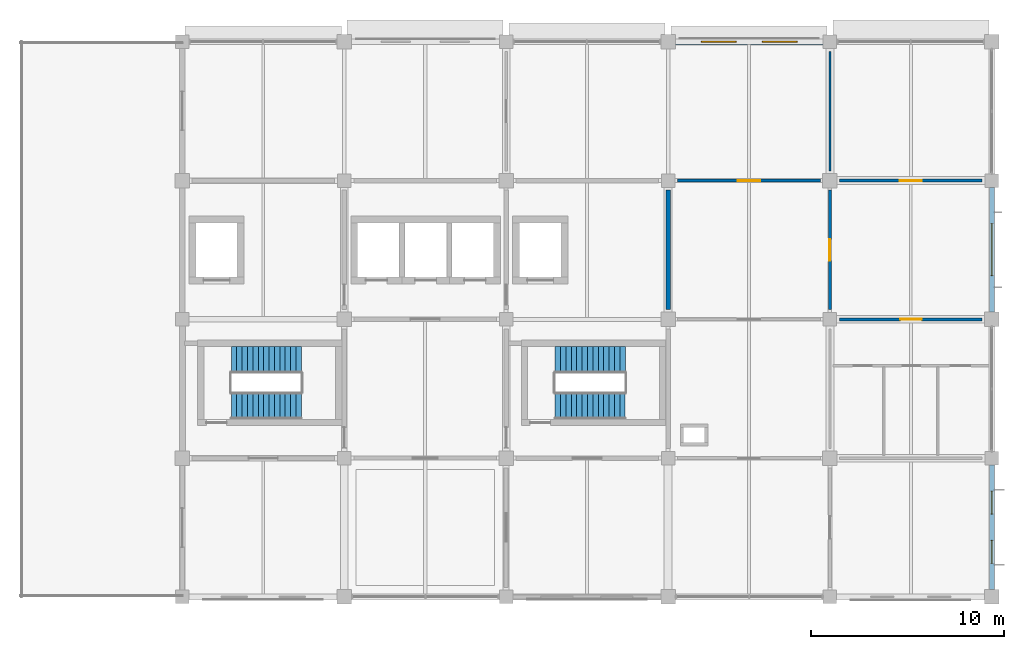
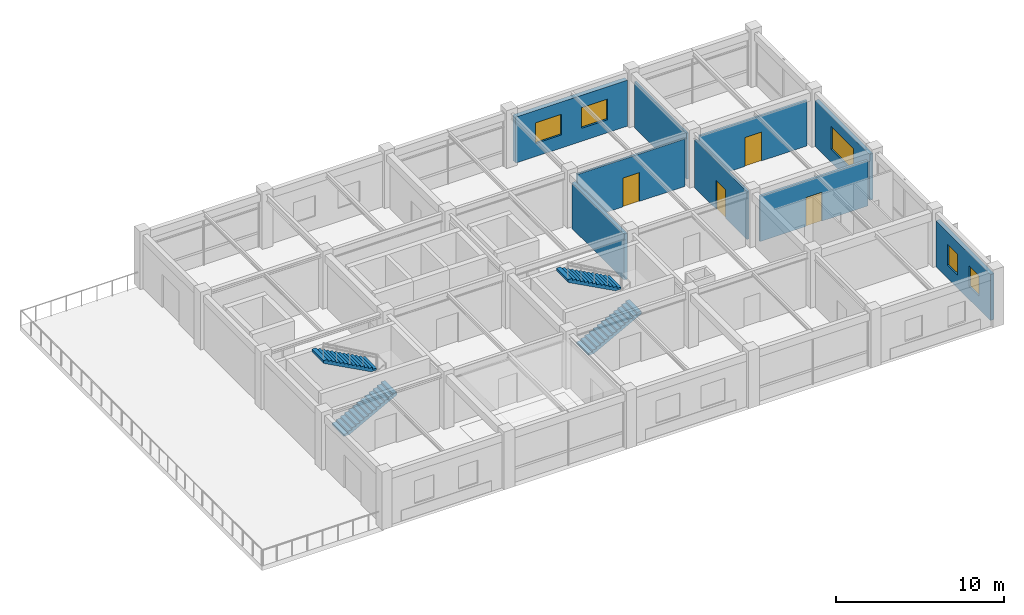
# One storey, part 8 of 10: 9 walls, 5 windows, 4 doors, 4 stair flights, 9 openings, 2 elements without a shape of their own.
"""IFC4 building model written with IfcOpenShell, lengths in metres."""

from ifc_helpers import new_model, si_unit, derived_unit, direction, frame, frame_2d, origin, place, context, subcontext, project, spatial, polyline, rectangle, outline, extrude, material, layer, layer_set, type_object, element, fill, aggregate, save


model = new_model("IFC4")

# Units and contexts
model_context = context("Model", 3, precision=1e-05, world=origin(), true_north=direction((0.0, 1.0)))
body_context = subcontext(model_context, "Body", "Model", "MODEL_VIEW")
ifc_project = project(units=[si_unit("LENGTHUNIT", "METRE"), si_unit("AREAUNIT", "SQUARE_METRE"), si_unit("VOLUMEUNIT", "CUBIC_METRE"), si_unit("PLANEANGLEUNIT", "RADIAN"), si_unit("MASSUNIT", "GRAM", prefix="KILO"), derived_unit("THERMALTRANSMITTANCEUNIT", [(si_unit("MASSUNIT", "GRAM", prefix="KILO"), 1), (si_unit("TIMEUNIT", "SECOND"), -3), (si_unit("THERMODYNAMICTEMPERATUREUNIT", "KELVIN"), -1)])], contexts=[model_context])

# Site, building, storey
site_placement = place(None, origin())
site = spatial("IfcSite", under=ifc_project, at=site_placement, CompositionType="ELEMENT")
building_placement = place(site_placement, origin())
building = spatial("IfcBuilding", under=site, at=building_placement, Name="Veldstrom Oceanarium and Marine Research Institute", CompositionType="ELEMENT")
storey_placement = place(building_placement, frame((0.0, 0.0, 43.800048828125)))
storey = spatial("IfcBuildingStorey", under=building, at=storey_placement, Name="L09", CompositionType="ELEMENT", Elevation=43.800048828125)

# Wall, openings, windows
ifc_material_1 = material(Name="Masonry Cavity Wall", Category="masonry")
ifc_layer_1 = layer(ifc_material_1, 0.31005859375)
ifc_layer_set_1 = layer_set([ifc_layer_1], Name="ARC-WAL-EW1")
wall_type_1 = type_object("IfcWallType", Name="ARC-WAL-EW1", PredefinedType="SOLIDWALL", material=ifc_layer_set_1)
wall_1_placement = place(storey_placement, frame((101.175048828125, 72.0, 0.0), z_axis=(0.0, 0.0, 1.0), x_axis=(1.0, 0.0, 0.0)))
wall_1 = element("IfcWall", 1, at=wall_1_placement, inside=storey, type_object=wall_type_1, Name="Exterior Facade Wall EW1 L09-219", PredefinedType="SOLIDWALL", context=body_context, shape_type="SweptSolid", body=[
    extrude(rectangle(XDim=7.675048828125, YDim=0.31005859375, at=frame_2d((3.83740234375, 0.0))), origin(), (0.0, 0.0, 1.0), 3.344970703125),
])
opening_1_placement = place(wall_1_placement, frame((1.3583984375, 0.0, 0.949951171875)))
opening_1 = element("IfcOpeningElement", 2, at=opening_1_placement, cuts=wall_1, Name="Opening W14", PredefinedType="OPENING", context=body_context, shape_type="SweptSolid", body=[
    extrude(rectangle(XDim=1.800048828125, YDim=1.5, at=frame_2d((0.89990234375, 0.75))), frame((0.0, 0.1650390625, 0.0), z_axis=(0.0, -1.0, 0.0), x_axis=(1.0, 0.0, 0.0)), (0.0, 0.0, 1.0), 0.330078125),
])
opening_2_placement = place(wall_1_placement, frame((4.5166015625, 0.0, 0.949951171875)))
opening_2 = element("IfcOpeningElement", 3, at=opening_2_placement, cuts=wall_1, Name="Opening W14", PredefinedType="OPENING", context=body_context, shape_type="SweptSolid", body=[
    extrude(rectangle(XDim=1.800048828125, YDim=1.5, at=frame_2d((0.89990234375, 0.75))), frame((0.0, 0.1650390625, 0.0), z_axis=(0.0, -1.0, 0.0), x_axis=(1.0, 0.0, 0.0)), (0.0, 0.0, 1.0), 0.330078125),
])
ifc_material_2 = material(Name="Double Glazed Low-E IGU", Category="glass")
window_type_1 = type_object("IfcWindowType", Name="ARC-WIN-W14", PartitioningType="SINGLE_PANEL", PredefinedType="WINDOW", material=ifc_material_2)
window_1_placement = place(opening_1_placement, origin())
window_1 = element("IfcWindow", 4, at=window_1_placement, inside=storey, type_object=window_type_1, Name="Facade Window W14 L09-0193", OverallHeight=1.5, OverallWidth=1.800048828125, PartitioningType="SINGLE_PANEL", PredefinedType="WINDOW", context=body_context, shape_type="SweptSolid", body=[
    extrude(rectangle(XDim=1.800048828125, YDim=1.5, at=frame_2d((0.89990234375, 0.75))), frame((0.0, 0.030029296875, 0.0), z_axis=(0.0, -1.0, 0.0), x_axis=(1.0, 0.0, 0.0)), (0.0, 0.0, 1.0), 0.06005859375),
])
fill(opening_1, window_1)
window_2_placement = place(opening_2_placement, origin())
window_2 = element("IfcWindow", 5, at=window_2_placement, inside=storey, type_object=window_type_1, Name="Facade Window W14 L09-0194", OverallHeight=1.5, OverallWidth=1.800048828125, PartitioningType="SINGLE_PANEL", PredefinedType="WINDOW", context=body_context, shape_type="SweptSolid", body=[
    extrude(rectangle(XDim=1.800048828125, YDim=1.5, at=frame_2d((0.89990234375, 0.75))), frame((0.0, 0.030029296875, 0.0), z_axis=(0.0, -1.0, 0.0), x_axis=(1.0, 0.0, 0.0)), (0.0, 0.0, 1.0), 0.06005859375),
])
fill(opening_2, window_2)

ifc_material_3 = material(Name="Masonry Cavity Wall", Category="masonry")
ifc_layer_2 = layer(ifc_material_3, 0.27001953125)
ifc_layer_set_2 = layer_set([ifc_layer_2], Name="ARC-WAL-EW3")
wall_type_2 = type_object("IfcWallType", Name="ARC-WAL-EW3", PredefinedType="SOLIDWALL", material=ifc_layer_set_2)
wall_2_placement = place(storey_placement, frame((117.60009765625, 43.574951171875, 0.0), z_axis=(0.0, 0.0, 1.0), x_axis=(0.0, 1.0, 0.0)))
wall_2 = element("IfcWall", 6, at=wall_2_placement, inside=storey, type_object=wall_type_2, Name="Exterior Facade Wall EW3 L09-221", PredefinedType="SOLIDWALL", context=body_context, shape_type="SweptSolid", body=[
    extrude(rectangle(XDim=6.47509765625, YDim=0.27001953125, at=frame_2d((3.237548828125, 0.0))), origin(), (0.0, 0.0, 1.0), 3.344970703125),
])
opening_3_placement = place(wall_2_placement, frame((1.3583984375, 0.0, 0.949951171875)))
opening_3 = element("IfcOpeningElement", 7, at=opening_3_placement, cuts=wall_2, Name="Opening W16", PredefinedType="OPENING", context=body_context, shape_type="SweptSolid", body=[
    extrude(rectangle(XDim=1.199951171875, YDim=1.5, at=frame_2d((0.60009765625, 0.75))), frame((0.0, 0.14501953125, 0.0), z_axis=(0.0, -1.0, 0.0), x_axis=(1.0, 0.0, 0.0)), (0.0, 0.0, 1.0), 0.2900390625),
])
opening_4_placement = place(wall_2_placement, frame((3.916748046875, 0.0, 0.949951171875)))
opening_4 = element("IfcOpeningElement", 8, at=opening_4_placement, cuts=wall_2, Name="Opening W16", PredefinedType="OPENING", context=body_context, shape_type="SweptSolid", body=[
    extrude(rectangle(XDim=1.199951171875, YDim=1.5, at=frame_2d((0.60009765625, 0.75))), frame((0.0, 0.14501953125, 0.0), z_axis=(0.0, -1.0, 0.0), x_axis=(1.0, 0.0, 0.0)), (0.0, 0.0, 1.0), 0.2900390625),
])
ifc_material_4 = material(Name="Double Glazed Low-E IGU", Category="glass")
window_type_2 = type_object("IfcWindowType", Name="ARC-WIN-W16", PartitioningType="SINGLE_PANEL", PredefinedType="WINDOW", material=ifc_material_4)
window_3_placement = place(opening_3_placement, origin())
window_3 = element("IfcWindow", 9, at=window_3_placement, inside=storey, type_object=window_type_2, Name="Facade Window W16 L09-0197", OverallHeight=1.5, OverallWidth=1.199951171875, PartitioningType="SINGLE_PANEL", PredefinedType="WINDOW", context=body_context, shape_type="SweptSolid", body=[
    extrude(rectangle(XDim=1.199951171875, YDim=1.5, at=frame_2d((0.60009765625, 0.75))), frame((0.0, 0.030029296875, 0.0), z_axis=(0.0, -1.0, 0.0), x_axis=(1.0, 0.0, 0.0)), (0.0, 0.0, 1.0), 0.06005859375),
])
fill(opening_3, window_3)
window_4_placement = place(opening_4_placement, origin())
window_4 = element("IfcWindow", 10, at=window_4_placement, inside=storey, type_object=window_type_2, Name="Facade Window W16 L09-0198", OverallHeight=1.5, OverallWidth=1.199951171875, PartitioningType="SINGLE_PANEL", PredefinedType="WINDOW", context=body_context, shape_type="SweptSolid", body=[
    extrude(rectangle(XDim=1.199951171875, YDim=1.5, at=frame_2d((0.60009765625, 0.75))), frame((0.0, 0.030029296875, 0.0), z_axis=(0.0, -1.0, 0.0), x_axis=(1.0, 0.0, 0.0)), (0.0, 0.0, 1.0), 0.06005859375),
])
fill(opening_4, window_4)

# Wall, opening, window
ifc_material_5 = material(Name="Masonry Cavity Wall", Category="masonry")
ifc_layer_3 = layer(ifc_material_5, 0.25)
ifc_layer_set_3 = layer_set([ifc_layer_3], Name="ARC-WAL-EW5")
wall_type_3 = type_object("IfcWallType", Name="ARC-WAL-EW5", PredefinedType="SOLIDWALL", material=ifc_layer_set_3)
wall_3_placement = place(storey_placement, frame((117.60009765625, 57.97509765625, 0.0), z_axis=(0.0, 0.0, 1.0), x_axis=(0.0, 1.0, 0.0)))
wall_3 = element("IfcWall", 11, at=wall_3_placement, inside=storey, type_object=wall_type_3, Name="Exterior Facade Wall EW5 L09-222", PredefinedType="SOLIDWALL", context=body_context, shape_type="SweptSolid", body=[
    extrude(rectangle(XDim=6.474853515625, YDim=0.25, at=frame_2d((3.2373046875, 0.0))), origin(), (0.0, 0.0, 1.0), 3.344970703125),
])
opening_5_placement = place(wall_3_placement, frame((1.887451171875, 0.0, 0.949951171875)))
opening_5 = element("IfcOpeningElement", 12, at=opening_5_placement, cuts=wall_3, Name="Opening W25", PredefinedType="OPENING", context=body_context, shape_type="SweptSolid", body=[
    extrude(rectangle(XDim=2.699951171875, YDim=1.64990234375, at=frame_2d((1.35009765625, 0.824951171875))), frame((0.0, 0.135009765625, 0.0), z_axis=(0.0, -1.0, 0.0), x_axis=(1.0, 0.0, 0.0)), (0.0, 0.0, 1.0), 0.27001953125),
])
ifc_material_6 = material(Name="Double Glazed Low-E IGU", Category="glass")
window_type_3 = type_object("IfcWindowType", Name="ARC-WIN-W25", PartitioningType="SINGLE_PANEL", PredefinedType="WINDOW", material=ifc_material_6)
window_5_placement = place(opening_5_placement, origin())
window_5 = element("IfcWindow", 13, at=window_5_placement, inside=storey, type_object=window_type_3, Name="Facade Window W25 L09-0199", OverallHeight=1.64990234375, OverallWidth=2.699951171875, PartitioningType="SINGLE_PANEL", PredefinedType="WINDOW", context=body_context, shape_type="SweptSolid", body=[
    extrude(rectangle(XDim=2.699951171875, YDim=1.64990234375, at=frame_2d((1.35009765625, 0.824951171875))), frame((0.0, 0.030029296875, 0.0), z_axis=(0.0, -1.0, 0.0), x_axis=(1.0, 0.0, 0.0)), (0.0, 0.0, 1.0), 0.06005859375),
])
fill(opening_5, window_5)

# Wall
ifc_material_7 = material(Name="Masonry Fire Compartment Wall", Category="masonry")
ifc_layer_4 = layer(ifc_material_7, 0.22998046875)
ifc_layer_set_4 = layer_set([ifc_layer_4], Name="ARC-WAL-PT1")
wall_type_4 = type_object("IfcWallType", Name="ARC-WAL-PT1", PredefinedType="PARTITIONING", material=ifc_layer_set_4)
wall_4_placement = place(storey_placement, frame((100.800048828125, 58.10009765625, 0.0), z_axis=(0.0, 0.0, 1.0), x_axis=(0.0, 1.0, 0.0)))
element("IfcWall", 14, at=wall_4_placement, inside=storey, type_object=wall_type_4, Name="Interior Partition PT1 L09-1620", PredefinedType="PARTITIONING", context=body_context, shape_type="SweptSolid", body=[
    extrude(rectangle(XDim=6.199951171875, YDim=0.22998046875, at=frame_2d((3.10009765625, 0.0))), origin(), (0.0, 0.0, 1.0), 3.344970703125),
])

# Wall, opening, door
ifc_material_8 = material(Name="Drywall Corridor Partition", Category="gypsum")
ifc_layer_5 = layer(ifc_material_8, 0.155029296875)
ifc_layer_set_5 = layer_set([ifc_layer_5], Name="ARC-WAL-PT4")
wall_type_5 = type_object("IfcWallType", Name="ARC-WAL-PT4", PredefinedType="PARTITIONING", material=ifc_layer_set_5)
wall_5_placement = place(storey_placement, frame((109.199951171875, 58.10009765625, 0.0), z_axis=(0.0, 0.0, 1.0), x_axis=(0.0, 1.0, 0.0)))
wall_5 = element("IfcWall", 15, at=wall_5_placement, inside=storey, type_object=wall_type_5, Name="Interior Partition PT4 L09-1626", PredefinedType="PARTITIONING", context=body_context, shape_type="SweptSolid", body=[
    extrude(rectangle(XDim=6.199951171875, YDim=0.155029296875, at=frame_2d((3.10009765625, 0.0))), origin(), (0.0, 0.0, 1.0), 3.494873046875),
])
opening_6_placement = place(wall_5_placement, frame((2.550048828125, 0.0, 0.0)))
opening_6 = element("IfcOpeningElement", 16, at=opening_6_placement, cuts=wall_5, Name="Opening D-L09-990", PredefinedType="OPENING", context=body_context, shape_type="SweptSolid", body=[
    extrude(rectangle(XDim=1.10009765625, YDim=2.10009765625, at=frame_2d((0.550048828125, 1.050048828125))), frame((0.0, 0.08740234375, 0.0), z_axis=(0.0, -1.0, 0.0), x_axis=(1.0, 0.0, 0.0)), (0.0, 0.0, 1.0), 0.175048828125),
])
ifc_material_9 = material(Name="Research Office Door", Category="timber")
door_type_1 = type_object("IfcDoorType", Name="ARC-DOR-ID07", OperationType="SINGLE_SWING_LEFT", PredefinedType="DOOR", material=ifc_material_9)
door_1_placement = place(opening_6_placement, origin())
door_1 = element("IfcDoor", 17, at=door_1_placement, inside=storey, type_object=door_type_1, Name="Interior Door D-L09-990", OperationType="SINGLE_SWING_RIGHT", OverallHeight=2.10009765625, OverallWidth=1.10009765625, PredefinedType="DOOR", context=body_context, shape_type="SweptSolid", body=[
    extrude(rectangle(XDim=1.10009765625, YDim=2.10009765625, at=frame_2d((0.550048828125, 1.050048828125))), frame((0.0, 0.02490234375, 0.0), z_axis=(0.0, -1.0, 0.0), x_axis=(1.0, 0.0, 0.0)), (0.0, 0.0, 1.0), 0.050048828125),
])
fill(opening_6, door_1)

wall_6_placement = place(storey_placement, frame((101.300048828125, 64.800048828125, 0.0), z_axis=(0.0, 0.0, 1.0), x_axis=(1.0, 0.0, 0.0)))
wall_6 = element("IfcWall", 18, at=wall_6_placement, inside=storey, type_object=wall_type_5, Name="Interior Partition PT4 L09-1627", PredefinedType="PARTITIONING", context=body_context, shape_type="SweptSolid", body=[
    extrude(rectangle(XDim=7.39990234375, YDim=0.155029296875, at=frame_2d((3.699951171875, 0.0))), origin(), (0.0, 0.0, 1.0), 3.445068359375),
])
opening_7_placement = place(wall_6_placement, frame((3.125, 0.0, 0.0)))
opening_7 = element("IfcOpeningElement", 19, at=opening_7_placement, cuts=wall_6, Name="Opening D-L09-991", PredefinedType="OPENING", context=body_context, shape_type="SweptSolid", body=[
    extrude(rectangle(XDim=1.14990234375, YDim=2.10009765625, at=frame_2d((0.574951171875, 1.050048828125))), frame((0.0, 0.08740234375, 0.0), z_axis=(0.0, -1.0, 0.0), x_axis=(1.0, 0.0, 0.0)), (0.0, 0.0, 1.0), 0.175048828125),
])
ifc_material_10 = material(Name="Fellows Studio Door", Category="timber")
door_type_2 = type_object("IfcDoorType", Name="ARC-DOR-ID17", OperationType="SINGLE_SWING_LEFT", PredefinedType="DOOR", material=ifc_material_10)
door_2_placement = place(opening_7_placement, origin())
door_2 = element("IfcDoor", 20, at=door_2_placement, inside=storey, type_object=door_type_2, Name="Interior Door D-L09-991", OperationType="SINGLE_SWING_RIGHT", OverallHeight=2.10009765625, OverallWidth=1.14990234375, PredefinedType="DOOR", context=body_context, shape_type="SweptSolid", body=[
    extrude(rectangle(XDim=1.14990234375, YDim=2.10009765625, at=frame_2d((0.574951171875, 1.050048828125))), frame((0.0, 0.02490234375, 0.0), z_axis=(0.0, -1.0, 0.0), x_axis=(1.0, 0.0, 0.0)), (0.0, 0.0, 1.0), 0.050048828125),
])
fill(opening_7, door_2)

wall_7_placement = place(storey_placement, frame((109.699951171875, 57.60009765625, 0.0), z_axis=(0.0, 0.0, 1.0), x_axis=(1.0, 0.0, 0.0)))
wall_7 = element("IfcWall", 21, at=wall_7_placement, inside=storey, type_object=wall_type_5, Name="Interior Partition PT4 L09-1630", PredefinedType="PARTITIONING", context=body_context, shape_type="SweptSolid", body=[
    extrude(rectangle(XDim=7.400146484375, YDim=0.155029296875, at=frame_2d((3.7001953125, 0.0))), origin(), (0.0, 0.0, 1.0), 3.294921875),
])
opening_8_placement = place(wall_7_placement, frame((3.14990234375, 0.0, 0.0)))
opening_8 = element("IfcOpeningElement", 22, at=opening_8_placement, cuts=wall_7, Name="Opening D-L09-992", PredefinedType="OPENING", context=body_context, shape_type="SweptSolid", body=[
    extrude(rectangle(XDim=1.10009765625, YDim=2.10009765625, at=frame_2d((0.550048828125, 1.050048828125))), frame((0.0, 0.08740234375, 0.0), z_axis=(0.0, -1.0, 0.0), x_axis=(1.0, 0.0, 0.0)), (0.0, 0.0, 1.0), 0.175048828125),
])
door_3_placement = place(opening_8_placement, frame((1.10009765625, 0.0, 0.0), z_axis=(0.0, 0.0, 1.0), x_axis=(-1.0, 0.0, 0.0)))
door_3 = element("IfcDoor", 23, at=door_3_placement, inside=storey, type_object=door_type_1, Name="Interior Door D-L09-992", OperationType="SINGLE_SWING_LEFT", OverallHeight=2.10009765625, OverallWidth=1.10009765625, PredefinedType="DOOR", context=body_context, shape_type="SweptSolid", body=[
    extrude(rectangle(XDim=1.10009765625, YDim=2.10009765625, at=frame_2d((0.550048828125, 1.050048828125))), frame((0.0, 0.02490234375, 0.0), z_axis=(0.0, -1.0, 0.0), x_axis=(1.0, 0.0, 0.0)), (0.0, 0.0, 1.0), 0.050048828125),
])
fill(opening_8, door_3)

ifc_material_11 = material(Name="Moisture-Resistant Wet-Area Partition", Category="masonry")
ifc_layer_6 = layer(ifc_material_11, 0.139892578125)
ifc_layer_set_6 = layer_set([ifc_layer_6], Name="ARC-WAL-PT5")
wall_type_6 = type_object("IfcWallType", Name="ARC-WAL-PT5", PredefinedType="PARTITIONING", material=ifc_layer_set_6)
wall_8_placement = place(storey_placement, frame((109.699951171875, 64.800048828125, 0.0), z_axis=(0.0, 0.0, 1.0), x_axis=(1.0, 0.0, 0.0)))
wall_8 = element("IfcWall", 24, at=wall_8_placement, inside=storey, type_object=wall_type_6, Name="Interior Partition PT5 L09-1631", PredefinedType="PARTITIONING", context=body_context, shape_type="SweptSolid", body=[
    extrude(rectangle(XDim=7.400146484375, YDim=0.139892578125, at=frame_2d((3.7001953125, 0.0))), origin(), (0.0, 0.0, 1.0), 3.294921875),
])
opening_9_placement = place(wall_8_placement, frame((3.125, 0.0, 0.0)))
opening_9 = element("IfcOpeningElement", 25, at=opening_9_placement, cuts=wall_8, Name="Opening D-L09-993", PredefinedType="OPENING", context=body_context, shape_type="SweptSolid", body=[
    extrude(rectangle(XDim=1.14990234375, YDim=2.10009765625, at=frame_2d((0.574951171875, 1.050048828125))), frame((0.0, 0.079833984375, 0.0), z_axis=(0.0, -1.0, 0.0), x_axis=(1.0, 0.0, 0.0)), (0.0, 0.0, 1.0), 0.159912109375),
])
door_4_placement = place(opening_9_placement, origin())
door_4 = element("IfcDoor", 26, at=door_4_placement, inside=storey, type_object=door_type_2, Name="Interior Door D-L09-993", OperationType="SINGLE_SWING_LEFT", OverallHeight=2.10009765625, OverallWidth=1.14990234375, PredefinedType="DOOR", context=body_context, shape_type="SweptSolid", body=[
    extrude(rectangle(XDim=1.14990234375, YDim=2.10009765625, at=frame_2d((0.574951171875, 1.050048828125))), frame((0.0, 0.02490234375, 0.0), z_axis=(0.0, -1.0, 0.0), x_axis=(1.0, 0.0, 0.0)), (0.0, 0.0, 1.0), 0.050048828125),
])
fill(opening_9, door_4)

# Wall
ifc_material_12 = material(Name="Lightweight Studio Partition", Category="gypsum")
ifc_layer_7 = layer(ifc_material_12, 0.1201171875)
ifc_layer_set_7 = layer_set([ifc_layer_7], Name="ARC-WAL-PT6")
wall_type_7 = type_object("IfcWallType", Name="ARC-WAL-PT6", PredefinedType="PARTITIONING", material=ifc_layer_set_7)
wall_9_placement = place(storey_placement, frame((109.199951171875, 65.300048828125, 0.0), z_axis=(0.0, 0.0, 1.0), x_axis=(0.0, 1.0, 0.0)))
element("IfcWall", 27, at=wall_9_placement, inside=storey, type_object=wall_type_7, Name="Interior Partition PT6 L09-1628", PredefinedType="PARTITIONING", context=body_context, shape_type="SweptSolid", body=[
    extrude(rectangle(XDim=6.199951171875, YDim=0.1201171875, at=frame_2d((3.10009765625, 0.0))), origin(), (0.0, 0.0, 1.0), 3.344970703125),
])

# Stair, stair flights
ifc_material_13 = material(Name="Concrete C40/50", Category="concrete")
stair_type = type_object("IfcStairType", Name="ARC-STR-ST-420", PredefinedType="TWO_STRAIGHT_RUN_STAIR", material=ifc_material_13)
stair_1_placement = place(storey_placement, origin())
stair_1 = element("IfcStair", 28, at=stair_1_placement, inside=storey, type_object=stair_type, Name="Dog-Leg Escape Stair ST1-L09", PredefinedType="TWO_STRAIGHT_RUN_STAIR")
ifc_material_14 = material(Name="Concrete C40/50", Category="concrete")
stair_flight_type = type_object("IfcStairFlightType", Name="ARC-STF-ST-420", PredefinedType="STRAIGHT", material=ifc_material_14)
stair_flight_1_placement = place(storey_placement, frame((78.139892578125, 53.10009765625, 0.0), z_axis=(0.0, 0.0, 1.0), x_axis=(1.0, 0.0, 0.0)))
stair_flight_1 = element("IfcStairFlight", 29, at=stair_flight_1_placement, type_object=stair_flight_type, Name="Stair Flight ST1-L09-1", NumberOfRisers=14, NumberOfTreads=13, PredefinedType="STRAIGHT", RiserHeight=0.15, TreadLength=0.28, context=body_context, shape_type="SweptSolid", body=[
    extrude(outline(polyline([(0.0, 0.0), (0.0, 0.14990234375), (0.280029296875, 0.14990234375), (0.280029296875, 0.300048828125), (0.56005859375, 0.300048828125), (0.56005859375, 0.449951171875), (0.840087890625, 0.449951171875), (0.840087890625, 0.60009765625), (1.1201171875, 0.60009765625), (1.1201171875, 0.75), (1.39990234375, 0.75), (1.39990234375, 0.89990234375), (1.679931640625, 0.89990234375), (1.679931640625, 1.050048828125), (1.9599609375, 1.050048828125), (1.9599609375, 1.199951171875), (2.239990234375, 1.199951171875), (2.239990234375, 1.35009765625), (2.52001953125, 1.35009765625), (2.52001953125, 1.5), (2.800048828125, 1.5), (2.800048828125, 1.64990234375), (3.080078125, 1.64990234375), (3.080078125, 1.800048828125), (3.360107421875, 1.800048828125), (3.360107421875, 1.949951171875), (3.639892578125, 1.949951171875), (3.639892578125, 2.10009765625), (3.639892578125, 1.745849609375), (0.381103515625, 0.0), (0.0, 0.0)])), frame((0.0, 0.699951171875, 0.0), z_axis=(0.0, -1.0, 0.0), x_axis=(1.0, 0.0, 0.0)), (0.0, 0.0, 1.0), 1.39990234375),
])
stair_flight_2_placement = place(storey_placement, frame((81.780029296875, 55.5, 2.099853515625), z_axis=(0.0, 0.0, 1.0), x_axis=(-1.0, 0.0, 0.0)))
stair_flight_2 = element("IfcStairFlight", 30, at=stair_flight_2_placement, type_object=stair_flight_type, Name="Stair Flight ST1-L09-2", NumberOfRisers=14, NumberOfTreads=13, PredefinedType="STRAIGHT", RiserHeight=0.15, TreadLength=0.28, context=body_context, shape_type="SweptSolid", body=[
    extrude(outline(polyline([(0.0, 0.0), (0.0, 0.14990234375), (0.280029296875, 0.14990234375), (0.280029296875, 0.300048828125), (0.56005859375, 0.300048828125), (0.56005859375, 0.449951171875), (0.840087890625, 0.449951171875), (0.840087890625, 0.60009765625), (1.1201171875, 0.60009765625), (1.1201171875, 0.75), (1.39990234375, 0.75), (1.39990234375, 0.89990234375), (1.679931640625, 0.89990234375), (1.679931640625, 1.050048828125), (1.9599609375, 1.050048828125), (1.9599609375, 1.199951171875), (2.239990234375, 1.199951171875), (2.239990234375, 1.35009765625), (2.52001953125, 1.35009765625), (2.52001953125, 1.5), (2.800048828125, 1.5), (2.800048828125, 1.64990234375), (3.080078125, 1.64990234375), (3.080078125, 1.800048828125), (3.360107421875, 1.800048828125), (3.360107421875, 1.949951171875), (3.639892578125, 1.949951171875), (3.639892578125, 2.10009765625), (3.639892578125, 1.745849609375), (0.381103515625, 0.0), (0.0, 0.0)])), frame((0.0, 0.699951171875, 0.0), z_axis=(0.0, -1.0, 0.0), x_axis=(1.0, 0.0, 0.0)), (0.0, 0.0, 1.0), 1.39990234375),
])
aggregate(stair_1, [stair_flight_1, stair_flight_2])

stair_2_placement = place(storey_placement, origin())
stair_2 = element("IfcStair", 31, at=stair_2_placement, inside=storey, type_object=stair_type, Name="Dog-Leg Escape Stair ST2-L09", PredefinedType="TWO_STRAIGHT_RUN_STAIR")
stair_flight_3_placement = place(storey_placement, frame((94.93994140625, 53.10009765625, 0.0), z_axis=(0.0, 0.0, 1.0), x_axis=(1.0, 0.0, 0.0)))
stair_flight_3 = element("IfcStairFlight", 32, at=stair_flight_3_placement, type_object=stair_flight_type, Name="Stair Flight ST2-L09-1", NumberOfRisers=14, NumberOfTreads=13, PredefinedType="STRAIGHT", RiserHeight=0.15, TreadLength=0.28, context=body_context, shape_type="SweptSolid", body=[
    extrude(outline(polyline([(0.0, 0.0), (0.0, 0.14990234375), (0.280029296875, 0.14990234375), (0.280029296875, 0.300048828125), (0.56005859375, 0.300048828125), (0.56005859375, 0.449951171875), (0.840087890625, 0.449951171875), (0.840087890625, 0.60009765625), (1.1201171875, 0.60009765625), (1.1201171875, 0.75), (1.39990234375, 0.75), (1.39990234375, 0.89990234375), (1.679931640625, 0.89990234375), (1.679931640625, 1.050048828125), (1.9599609375, 1.050048828125), (1.9599609375, 1.199951171875), (2.239990234375, 1.199951171875), (2.239990234375, 1.35009765625), (2.52001953125, 1.35009765625), (2.52001953125, 1.5), (2.800048828125, 1.5), (2.800048828125, 1.64990234375), (3.080078125, 1.64990234375), (3.080078125, 1.800048828125), (3.360107421875, 1.800048828125), (3.360107421875, 1.949951171875), (3.639892578125, 1.949951171875), (3.639892578125, 2.10009765625), (3.639892578125, 1.745849609375), (0.381103515625, 0.0), (0.0, 0.0)])), frame((0.0, 0.699951171875, 0.0), z_axis=(0.0, -1.0, 0.0), x_axis=(1.0, 0.0, 0.0)), (0.0, 0.0, 1.0), 1.39990234375),
])
stair_flight_4_placement = place(storey_placement, frame((98.580078125, 55.5, 2.099853515625), z_axis=(0.0, 0.0, 1.0), x_axis=(-1.0, 0.0, 0.0)))
stair_flight_4 = element("IfcStairFlight", 33, at=stair_flight_4_placement, type_object=stair_flight_type, Name="Stair Flight ST2-L09-2", NumberOfRisers=14, NumberOfTreads=13, PredefinedType="STRAIGHT", RiserHeight=0.15, TreadLength=0.28, context=body_context, shape_type="SweptSolid", body=[
    extrude(outline(polyline([(0.0, 0.0), (0.0, 0.14990234375), (0.280029296875, 0.14990234375), (0.280029296875, 0.300048828125), (0.56005859375, 0.300048828125), (0.56005859375, 0.449951171875), (0.840087890625, 0.449951171875), (0.840087890625, 0.60009765625), (1.1201171875, 0.60009765625), (1.1201171875, 0.75), (1.39990234375, 0.75), (1.39990234375, 0.89990234375), (1.679931640625, 0.89990234375), (1.679931640625, 1.050048828125), (1.9599609375, 1.050048828125), (1.9599609375, 1.199951171875), (2.239990234375, 1.199951171875), (2.239990234375, 1.35009765625), (2.52001953125, 1.35009765625), (2.52001953125, 1.5), (2.800048828125, 1.5), (2.800048828125, 1.64990234375), (3.080078125, 1.64990234375), (3.080078125, 1.800048828125), (3.360107421875, 1.800048828125), (3.360107421875, 1.949951171875), (3.639892578125, 1.949951171875), (3.639892578125, 2.10009765625), (3.639892578125, 1.745849609375), (0.381103515625, 0.0), (0.0, 0.0)])), frame((0.0, 0.699951171875, 0.0), z_axis=(0.0, -1.0, 0.0), x_axis=(1.0, 0.0, 0.0)), (0.0, 0.0, 1.0), 1.39990234375),
])
aggregate(stair_2, [stair_flight_3, stair_flight_4])

save(model, "model.ifc")
